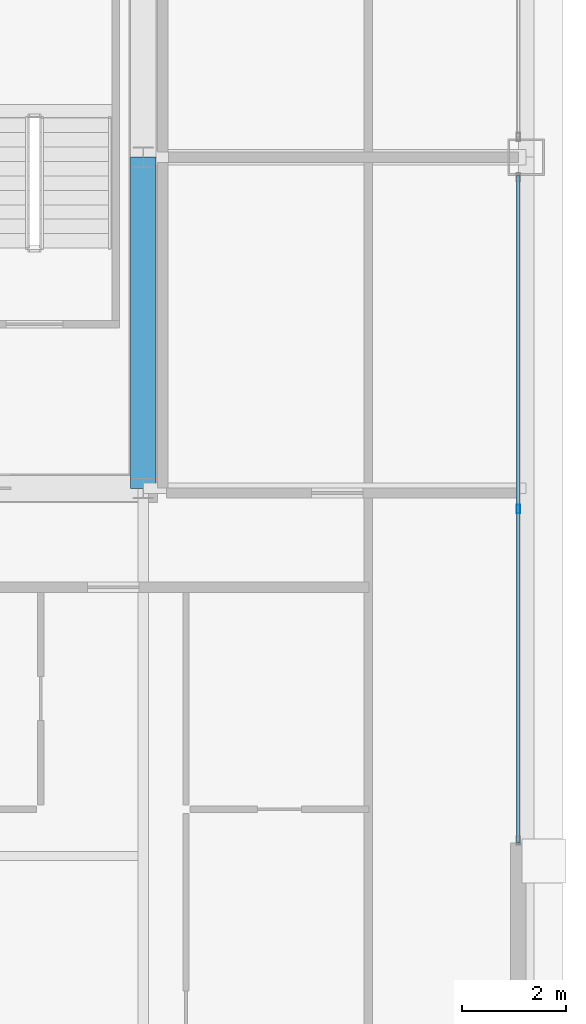
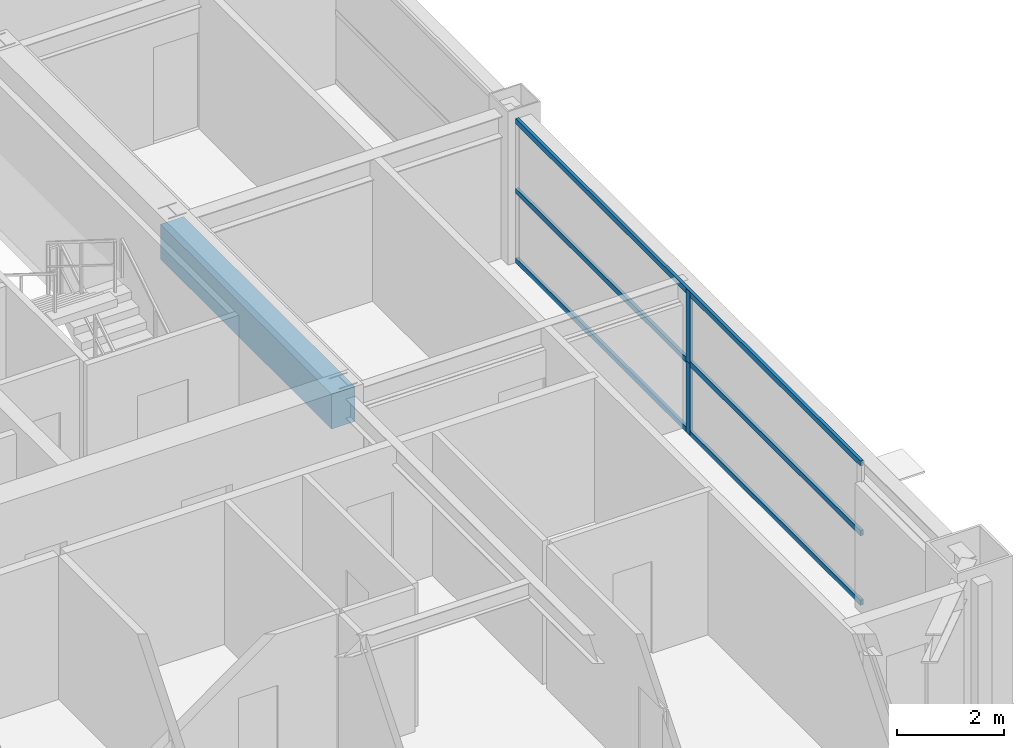
# One storey, part 19 of 37: 5 members, 1 beam, 1 element without a shape of its own.
"""IFC4 building model written with IfcOpenShell, lengths in metres."""

from ifc_helpers import new_model, si_unit, direction, frame, origin, origin_2d, place, context, subcontext, project, spatial, rectangle, hollow_rectangle, extrude, source, transform, mapped, material, layer, layer_set, material_profile, profile_set, type_object, element, aggregate, save


model = new_model("IFC4")

# Units and contexts
model_context = context("Model", 3, precision=1e-05, world=origin(), true_north=direction((0.0, 1.0)))
body_context = subcontext(model_context, "Body", "Model", "MODEL_VIEW")
ifc_project = project(units=[si_unit("LENGTHUNIT", "METRE"), si_unit("AREAUNIT", "SQUARE_METRE"), si_unit("VOLUMEUNIT", "CUBIC_METRE"), si_unit("PLANEANGLEUNIT", "RADIAN"), si_unit("MASSUNIT", "GRAM", prefix="KILO"), si_unit("THERMODYNAMICTEMPERATUREUNIT", "KELVIN"), si_unit("POWERUNIT", "WATT")], contexts=[model_context])

# Site, building, storey
site_placement = place(None, origin())
site = spatial("IfcSite", under=ifc_project, at=site_placement, CompositionType="ELEMENT")
building_placement = place(site_placement, origin())
building = spatial("IfcBuilding", under=site, at=building_placement, Name="Yuzanri Waterfront Tower", CompositionType="ELEMENT")
storey_placement = place(building_placement, frame((0.0, 0.0, 252.10009765625)))
storey = spatial("IfcBuildingStorey", under=building, at=storey_placement, Name="L67", CompositionType="ELEMENT", Elevation=252.10009765625)

# Beam
ifc_material_1 = material(Name="Concrete C50", Category="concrete")
ifc_material_profile_1 = material_profile(ifc_material_1, rectangle(XDim=0.5, YDim=0.800048828125, at=origin_2d()), Name="RC 500x800")
ifc_profile_set_1 = profile_set([ifc_material_profile_1], Name="Concrete C50")
beam_type = type_object("IfcBeamType", Name="Core Coupling Lintel Concrete C50 500x800", PredefinedType="LINTEL", material=ifc_profile_set_1)
shared_shape_1 = source(origin(), body_context, "Body", "SweptSolid", [
    extrude(rectangle(XDim=0.5, YDim=0.800048828125, at=origin_2d()), origin(), (0.0, 0.0, 1.0), 6.400146484375),
])
beam_placement = place(storey_placement, frame((50.199951171875, 19.39990234375, 2.8798828125), z_axis=(0.0, 1.0, 0.0), x_axis=(-1.0, 0.0, 0.0)))
element("IfcBeam", 1, at=beam_placement, inside=storey, type_object=beam_type, Name="L67 Core Tie Beam CE1", PredefinedType="LINTEL", context=body_context, shape_type="MappedRepresentation", body=[
    mapped(shared_shape_1, transform((0.0, 0.0, 0.0), scale=1.0)),
])

# Curtain wall, members
ifc_material_2 = material(Name="Anodized Architectural Bronze", Category="metal")
ifc_layer = layer(ifc_material_2, 0.159912109375)
ifc_layer_set = layer_set([ifc_layer], Name="Anodized Architectural Bronze")
curtain_wall_type = type_object("IfcCurtainWallType", Name="Anodized Bronze Mid-Rise Residential Acoustic Unitized Curtain Wall 7200", PredefinedType="NOTDEFINED", material=ifc_layer_set)
curtain_wall_placement = place(storey_placement, origin())
curtain_wall = element("IfcCurtainWall", 2, at=curtain_wall_placement, inside=storey, type_object=curtain_wall_type, Name="L67 Curtain Wall CW-L67-EL", PredefinedType="NOTDEFINED")
ifc_material_3 = material(Name="Anodized Architectural Bronze", Category="metal")
ifc_material_profile_2 = material_profile(ifc_material_3, hollow_rectangle(XDim=0.06494140625, YDim=0.159912109375, WallThickness=0.00341796875, at=origin_2d()), Name="CWM 65x160")
ifc_profile_set_2 = profile_set([ifc_material_profile_2], Name="Anodized Architectural Bronze")
member_type_1 = type_object("IfcMemberType", Name="Anodized Bronze Upper-Zone Curtain-Wall Mullion 65x160", PredefinedType="MULLION", material=ifc_profile_set_2)
shared_shape_2 = source(origin(), body_context, "Body", "SweptSolid", [
    extrude(hollow_rectangle(XDim=0.06494140625, YDim=0.159912109375, WallThickness=0.00341796875, at=origin_2d()), origin(), (0.0, 0.0, 1.0), 1.637939453125),
])
member_1_placement = place(storey_placement, frame((57.449951171875, 19.0, 0.0), z_axis=(0.0, 0.0, 1.0), x_axis=(1.0, 0.0, 0.0)))
member_1 = element("IfcMember", 3, at=member_1_placement, type_object=member_type_1, Name="CW-L67-EL Lower Mullion 01", PredefinedType="MULLION", context=body_context, shape_type="MappedRepresentation", body=[
    mapped(shared_shape_2, transform((0.0, 0.0, 0.0), scale=1.0)),
])
member_2_placement = place(storey_placement, frame((57.449951171875, 19.0, 1.641845703125), z_axis=(0.0, 0.0, 1.0), x_axis=(1.0, 0.0, 0.0)))
member_2 = element("IfcMember", 4, at=member_2_placement, type_object=member_type_1, Name="CW-L67-EL Upper Mullion 01", PredefinedType="MULLION", context=body_context, shape_type="MappedRepresentation", body=[
    mapped(shared_shape_2, transform((0.0, 0.0, 0.0), scale=1.0)),
])
ifc_material_4 = material(Name="Anodized Architectural Bronze", Category="metal")
ifc_material_profile_3 = material_profile(ifc_material_4, hollow_rectangle(XDim=0.06494140625, YDim=0.1201171875, WallThickness=0.00341796875, at=origin_2d()), Name="CWT 65x120")
ifc_profile_set_3 = profile_set([ifc_material_profile_3], Name="Anodized Architectural Bronze")
member_type_2 = type_object("IfcMemberType", Name="Anodized Bronze Secondary Curtain-Wall Transom 65x120", PredefinedType="USERDEFINED", material=ifc_profile_set_3)
shared_shape_3 = source(origin(), body_context, "Body", "SweptSolid", [
    extrude(hollow_rectangle(XDim=0.06494140625, YDim=0.1201171875, WallThickness=0.00341796875, at=origin_2d()), origin(), (0.0, 0.0, 1.0), 12.89990234375),
])
member_3_placement = place(storey_placement, frame((57.449951171875, 12.550048828125, 0.0498046875), z_axis=(0.0, 1.0, 0.0), x_axis=(-1.0, 0.0, 0.0)))
member_3 = element("IfcMember", 5, at=member_3_placement, type_object=member_type_2, Name="CW-L67-EL Transom 1", ObjectType="TRANSOM", PredefinedType="USERDEFINED", context=body_context, shape_type="MappedRepresentation", body=[
    mapped(shared_shape_3, transform((0.0, 0.0, 0.0), scale=1.0)),
])
member_4_placement = place(storey_placement, frame((57.449951171875, 12.550048828125, 1.639892578125), z_axis=(0.0, 1.0, 0.0), x_axis=(-1.0, 0.0, 0.0)))
member_4 = element("IfcMember", 6, at=member_4_placement, type_object=member_type_2, Name="CW-L67-EL Transom 2", ObjectType="TRANSOM", PredefinedType="USERDEFINED", context=body_context, shape_type="MappedRepresentation", body=[
    mapped(shared_shape_3, transform((0.0, 0.0, 0.0), scale=1.0)),
])
member_5_placement = place(storey_placement, frame((57.449951171875, 12.550048828125, 3.22998046875), z_axis=(0.0, 1.0, 0.0), x_axis=(-1.0, 0.0, 0.0)))
member_5 = element("IfcMember", 7, at=member_5_placement, type_object=member_type_2, Name="CW-L67-EL Transom 3", ObjectType="TRANSOM", PredefinedType="USERDEFINED", context=body_context, shape_type="MappedRepresentation", body=[
    mapped(shared_shape_3, transform((0.0, 0.0, 0.0), scale=1.0)),
])
aggregate(curtain_wall, [member_1, member_2, member_3, member_4, member_5])

save(model, "model.ifc")
